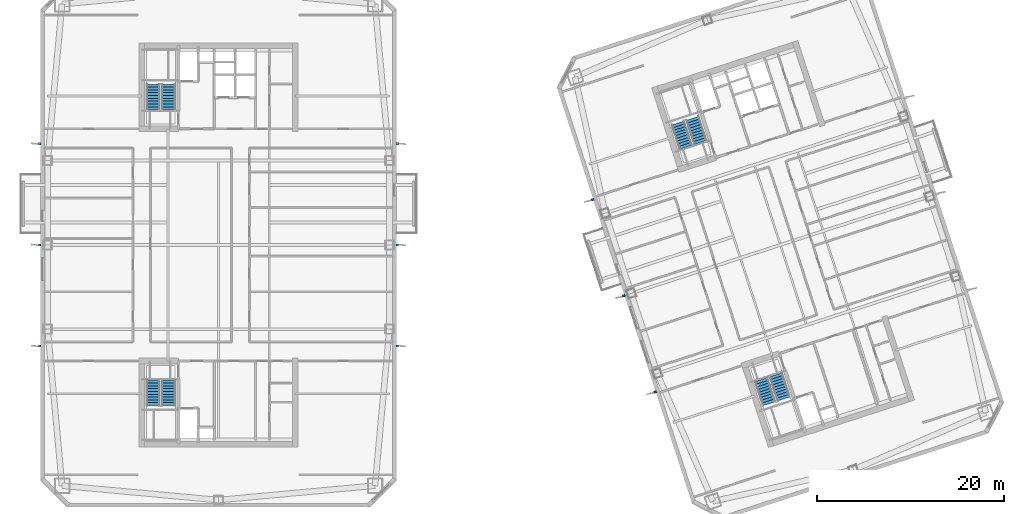
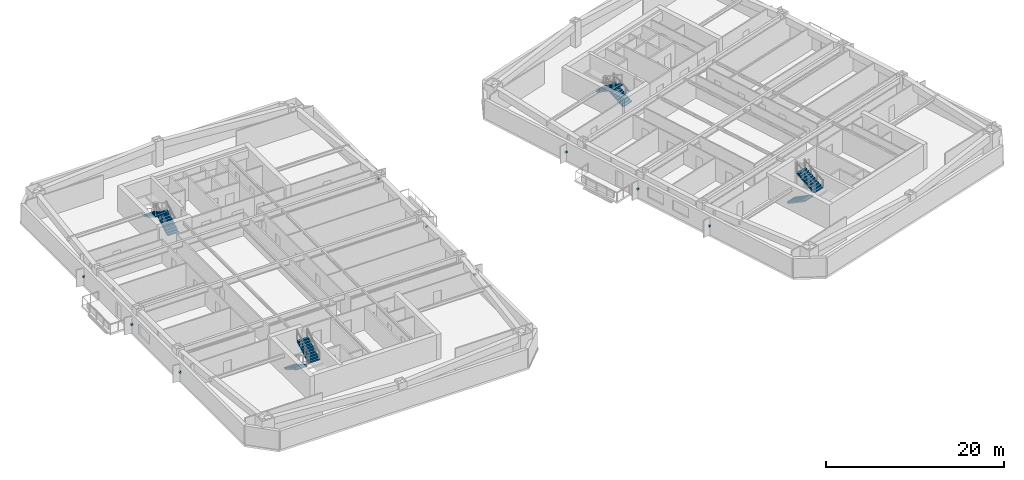
# One storey, part 17 of 23: 9 discrete accessories, 8 stair flights, 4 elements without a shape of their own.
"""IFC4 building model written with IfcOpenShell, lengths in metres."""

import ifcopenshell
import ifcopenshell.guid

model = None  # the IFC model being written
_history = None  # IfcOwnerHistory: only IFC2X3 demands one
_inside = {}  # id of a spatial element -> (the spatial element, [elements in it])
_under = {}  # id of a project, library or spatial element -> (it, [spatial elements below it])
_declared = {}  # id of a project -> (the project, [libraries it declares])
_typed = {}  # id of a type object -> (the type object, [elements of that type])
_made_of = {}  # id of a material, layer set ... -> (it, [elements and type objects made of it])


def new_model(schema):
    """Start an empty IFC model of exactly this schema.

    Asked for "IFC4X3", IfcOpenShell would pick the latest addendum, in which some entities
    have other attributes; the version numbers below select the first issue.
    IFC2X3 requires an IfcOwnerHistory on every rooted entity: one is made here for all.
    """
    global model, _history
    if schema == "IFC4X3":
        model = ifcopenshell.file(schema_version=(4, 3, 0, 0))
    else:
        model = ifcopenshell.file(schema=schema)
    _inside.clear()
    _under.clear()
    _declared.clear()
    _typed.clear()
    _made_of.clear()
    _history = None
    if model.schema == "IFC2X3":
        org = make("IfcOrganization", Name="unknown")
        user = make(
            "IfcPersonAndOrganization",
            ThePerson=make("IfcPerson", FamilyName="unknown"),
            TheOrganization=org,
        )
        app = make(
            "IfcApplication",
            ApplicationDeveloper=org,
            Version="unknown",
            ApplicationFullName="unknown",
            ApplicationIdentifier="unknown",
        )
        _history = make(
            "IfcOwnerHistory",
            OwningUser=user,
            OwningApplication=app,
            ChangeAction="ADDED",
            CreationDate=0,
        )
    return model


def make(cls, **values):
    """One entity of the class cls with the attributes given. An attribute that is None is left unset."""
    return model.create_entity(
        cls, **{name: value for name, value in values.items() if value is not None}
    )


def rooted(cls, **values):
    """An entity with a GlobalId (a new one), such as an element, a storey or a relation."""
    return make(cls, GlobalId=ifcopenshell.guid.new(), OwnerHistory=_history, **values)


def si_unit(unit_type, name, prefix=None):
    """IfcSIUnit, for example si_unit("LENGTHUNIT", "METRE", prefix="MILLI")."""
    return make("IfcSIUnit", UnitType=unit_type, Prefix=prefix, Name=name)


def assignment(units):
    """IfcUnitAssignment: the units of a project."""
    return None if units is None else make("IfcUnitAssignment", Units=units)


def point(xyz):
    """IfcCartesianPoint."""
    return None if xyz is None else make("IfcCartesianPoint", Coordinates=xyz)


def direction(xyz):
    """IfcDirection."""
    return None if xyz is None else make("IfcDirection", DirectionRatios=xyz)


def frame(location, z_axis=None, x_axis=None):
    """IfcAxis2Placement3D, a coordinate frame: its origin and axes. An axis left out is left unset."""
    return make(
        "IfcAxis2Placement3D",
        Location=point(location),
        Axis=direction(z_axis),
        RefDirection=direction(x_axis),
    )


def frame_2d(location, x_axis=None):
    """IfcAxis2Placement2D, a coordinate frame in the plane: its origin and x axis."""
    return make(
        "IfcAxis2Placement2D", Location=point(location), RefDirection=direction(x_axis)
    )


def origin():
    """The frame at (0, 0, 0) with its axes left unset."""
    return frame((0.0, 0.0, 0.0))


def origin_2d():
    """The frame at (0, 0) in the plane with its x axis left unset."""
    return frame_2d((0.0, 0.0))


def place(relative_to, where):
    """IfcLocalPlacement: puts the frame where relative to a parent placement (None: the world)."""
    return make(
        "IfcLocalPlacement", PlacementRelTo=relative_to, RelativePlacement=where
    )


def context(
    kind, dimensions, precision=None, world=None, true_north=None, identifier=None
):
    """IfcGeometricRepresentationContext, for example the 3D "Model" context."""
    return make(
        "IfcGeometricRepresentationContext",
        ContextIdentifier=identifier,
        ContextType=kind,
        CoordinateSpaceDimension=dimensions,
        Precision=precision,
        WorldCoordinateSystem=world,
        TrueNorth=true_north,
    )


def subcontext(parent, identifier, kind, view, scale=None):
    """IfcGeometricRepresentationSubContext, for example "Body" below "Model"."""
    return make(
        "IfcGeometricRepresentationSubContext",
        ContextIdentifier=identifier,
        ContextType=kind,
        ParentContext=parent,
        TargetScale=scale,
        TargetView=view,
    )


def project(units=None, contexts=None):
    """IfcProject with its units and contexts."""
    return rooted(
        "IfcProject",
        Name="project",
        RepresentationContexts=contexts,
        UnitsInContext=assignment(units),
    )


def spatial(cls, under=None, at=None, **own):
    """A site, building, storey or space (cls), placed at a placement, below another one or the project."""
    s = rooted(cls, ObjectPlacement=at, **own)
    if under is not None:
        _under.setdefault(under.id(), (under, []))[1].append(s)
    return s


def polyline(points):
    """IfcPolyline through the points."""
    return make("IfcPolyline", Points=[point(p) for p in points])


def profile(cls, at=None, kind="AREA", **sizes):
    """A parametric profile (cls). Its sizes go by their IFC names, for example OverallWidth=200.0."""
    return make(cls, ProfileType=kind, Position=at, **sizes)


def rectangle(**sizes):
    """IfcRectangleProfileDef."""
    return profile("IfcRectangleProfileDef", **sizes)


def outline(outer, holes=None, kind="AREA"):
    """IfcArbitraryClosedProfileDef: a profile drawn as a closed curve; with holes, ...WithVoids."""
    if holes is None:
        return make("IfcArbitraryClosedProfileDef", ProfileType=kind, OuterCurve=outer)
    return make(
        "IfcArbitraryProfileDefWithVoids",
        ProfileType=kind,
        OuterCurve=outer,
        InnerCurves=holes,
    )


def extrude(swept, where, along, depth):
    """IfcExtrudedAreaSolid: the profile swept, set in the frame where, extruded along a direction by depth."""
    return make(
        "IfcExtrudedAreaSolid",
        SweptArea=swept,
        Position=where,
        ExtrudedDirection=direction(along),
        Depth=depth,
    )


def shape(context_of_items, identifier, shape_type, items):
    """IfcShapeRepresentation: the items that make up one representation, for example the "Body"."""
    return make(
        "IfcShapeRepresentation",
        ContextOfItems=context_of_items,
        RepresentationIdentifier=identifier,
        RepresentationType=shape_type,
        Items=items,
    )


def material(Name=None, Category=None):
    """IfcMaterial."""
    return make("IfcMaterial", Name=Name, Category=Category)


def made_of(thing, what):
    """Note that an element or type object is made of a material, layer set ...; save() writes the relation."""
    if what is not None:
        _made_of.setdefault(what.id(), (what, []))[1].append(thing)
    return thing


def type_object(cls, material=None, **own):
    """A type object (cls), such as IfcWallType, which elements share."""
    return made_of(rooted(cls, **own), material)


def element(
    cls,
    number,
    at=None,
    inside=None,
    cuts=None,
    type_object=None,
    material=None,
    context=None,
    identifier="Body",
    shape_type=None,
    held_by="IfcProductDefinitionShape",
    body=None,
    shapes=None,
    **own,
):
    """One element of the class cls, such as IfcWall. Its Tag is "e" and its number.

    at: its placement. inside: the storey or other place that contains it. cuts: it is an
    opening in that element (IfcRelVoidsElement). A single representation is given by context,
    identifier, shape_type and body (its items); several are given by shapes. held_by: the class
    of the entity that holds the representations. save() writes the other relations.
    """
    e = rooted(cls, Tag="e%d" % number, ObjectPlacement=at, **own)
    if body is not None:
        shapes = [shape(context, identifier, shape_type, body)]
    if shapes is not None:
        e.Representation = make(held_by, Representations=shapes)
    if inside is not None:
        _inside.setdefault(inside.id(), (inside, []))[1].append(e)
    if cuts is not None:
        rooted(
            "IfcRelVoidsElement", RelatingBuildingElement=cuts, RelatedOpeningElement=e
        )
    if type_object is not None:
        _typed.setdefault(type_object.id(), (type_object, []))[1].append(e)
    return made_of(e, material)


def aggregate(whole, parts):
    """IfcRelAggregates: a whole, such as a stair, and the parts it consists of."""
    return rooted("IfcRelAggregates", RelatingObject=whole, RelatedObjects=parts)


def save(model, path):
    """Write the relations noted so far, then the file.

    IfcRelAggregates (storeys below a building ...), IfcRelContainedInSpatialStructure (elements
    in a storey), IfcRelDefinesByType, IfcRelAssociatesMaterial and IfcRelDeclares: one each for
    every whole, place, type object, material and project.
    """
    for whole, parts in _under.values():
        aggregate(whole, parts)
    for where, things in _inside.values():
        rooted(
            "IfcRelContainedInSpatialStructure",
            RelatedElements=things,
            RelatingStructure=where,
        )
    for kind, things in _typed.values():
        rooted("IfcRelDefinesByType", RelatedObjects=things, RelatingType=kind)
    for what, things in _made_of.values():
        rooted("IfcRelAssociatesMaterial", RelatedObjects=things, RelatingMaterial=what)
    for by, libraries in _declared.values():
        rooted("IfcRelDeclares", RelatingContext=by, RelatedDefinitions=libraries)
    model.write(path)


model = new_model("IFC4")

# Units and contexts
model_context = context("Model", 3, precision=1e-05, world=origin(), true_north=direction((0.0, 1.0)))
body_context = subcontext(model_context, "Body", "Model", "MODEL_VIEW")
ifc_project = project(units=[si_unit("LENGTHUNIT", "METRE"), si_unit("AREAUNIT", "SQUARE_METRE"), si_unit("VOLUMEUNIT", "CUBIC_METRE"), si_unit("PLANEANGLEUNIT", "RADIAN"), si_unit("MASSUNIT", "GRAM", prefix="KILO")], contexts=[model_context])

# Site, building, storey
site_placement = place(None, origin())
site = spatial("IfcSite", under=ifc_project, at=site_placement, CompositionType="ELEMENT")
building_placement = place(site_placement, origin())
building = spatial("IfcBuilding", under=site, at=building_placement, Name="Qiaolan Cultural Towers", CompositionType="ELEMENT")
storey_placement = place(building_placement, frame((0.0, 0.0, 100.050048828125)))
storey = spatial("IfcBuildingStorey", under=building, at=storey_placement, Name="L25", CompositionType="ELEMENT", Elevation=100.050048828125)

# Stair, stair flights
ifc_material_1 = material(Name="Concrete C45", Category="concrete")
stair_type = type_object("IfcStairType", Name="STR-CORE-1500", PredefinedType="HALF_TURN_STAIR", material=ifc_material_1)
stair_1_placement = place(storey_placement, origin())
stair_1 = element("IfcStair", 1, at=stair_1_placement, inside=storey, type_object=stair_type, Name="L25 Smokeproof Exit Stair ST-W1", PredefinedType="HALF_TURN_STAIR")
ifc_material_2 = material(Name="Concrete C45", Category="concrete")
stair_flight_type = type_object("IfcStairFlightType", Name="STR-CORE-1500-FL", PredefinedType="STRAIGHT", material=ifc_material_2)
stair_flight_1_placement = place(storey_placement, frame((23.02001953125, 19.550048828125, 0.0), z_axis=(0.0, 0.0, 1.0), x_axis=(0.0, -1.0, 0.0)))
stair_flight_1 = element("IfcStairFlight", 2, at=stair_flight_1_placement, type_object=stair_flight_type, Name="ST-W1 flight 1", NumberOfRisers=10, NumberOfTreads=9, PredefinedType="STRAIGHT", RiserHeight=0.1725, TreadLength=0.3, context=body_context, shape_type="SweptSolid", body=[
    extrude(outline(polyline([(0.0, 0.0), (0.0, 0.172607421875), (0.300048828125, 0.172607421875), (0.300048828125, 0.344970703125), (0.60009765625, 0.344970703125), (0.60009765625, 0.517578125), (0.89990234375, 0.517578125), (0.89990234375, 0.68994140625), (1.199951171875, 0.68994140625), (1.199951171875, 0.862548828125), (1.5, 0.862548828125), (1.5, 1.034912109375), (1.800048828125, 1.034912109375), (1.800048828125, 1.20751953125), (2.10009765625, 1.20751953125), (2.10009765625, 1.3798828125), (2.39990234375, 1.3798828125), (2.39990234375, 1.552490234375), (2.699951171875, 1.552490234375), (2.699951171875, 1.72509765625), (2.699951171875, 1.379638671875), (0.30078125, 0.0), (0.0, 0.0)])), frame((0.0, 0.719970703125, 0.0), z_axis=(0.0, -1.0, 0.0), x_axis=(1.0, 0.0, 0.0)), (0.0, 0.0, 1.0), 1.43994140625),
])
stair_flight_2_placement = place(storey_placement, frame((24.659912109375, 16.85009765625, 1.724853515625), z_axis=(0.0, 0.0, 1.0), x_axis=(0.0, 1.0, 0.0)))
stair_flight_2 = element("IfcStairFlight", 3, at=stair_flight_2_placement, type_object=stair_flight_type, Name="ST-W1 flight 2", NumberOfRisers=10, NumberOfTreads=9, PredefinedType="STRAIGHT", RiserHeight=0.1725, TreadLength=0.3, context=body_context, shape_type="SweptSolid", body=[
    extrude(outline(polyline([(0.0, 0.0), (0.0, 0.172607421875), (0.300048828125, 0.172607421875), (0.300048828125, 0.344970703125), (0.60009765625, 0.344970703125), (0.60009765625, 0.517578125), (0.89990234375, 0.517578125), (0.89990234375, 0.68994140625), (1.199951171875, 0.68994140625), (1.199951171875, 0.862548828125), (1.5, 0.862548828125), (1.5, 1.034912109375), (1.800048828125, 1.034912109375), (1.800048828125, 1.20751953125), (2.10009765625, 1.20751953125), (2.10009765625, 1.3798828125), (2.39990234375, 1.3798828125), (2.39990234375, 1.552490234375), (2.699951171875, 1.552490234375), (2.699951171875, 1.72509765625), (2.699951171875, 1.379638671875), (0.30078125, 0.0), (0.0, 0.0)])), frame((0.0, 0.719970703125, 0.0), z_axis=(0.0, -1.0, 0.0), x_axis=(1.0, 0.0, 0.0)), (0.0, 0.0, 1.0), 1.43994140625),
])
aggregate(stair_1, [stair_flight_1, stair_flight_2])

stair_2_placement = place(storey_placement, origin())
stair_2 = element("IfcStair", 4, at=stair_2_placement, inside=storey, type_object=stair_type, Name="L25 Smokeproof Exit Stair ST-W2", PredefinedType="HALF_TURN_STAIR")
stair_flight_3_placement = place(storey_placement, frame((24.659912109375, 48.449951171875, 0.0), z_axis=(0.0, 0.0, 1.0), x_axis=(0.0, 1.0, 0.0)))
stair_flight_3 = element("IfcStairFlight", 5, at=stair_flight_3_placement, type_object=stair_flight_type, Name="ST-W2 flight 1", NumberOfRisers=10, NumberOfTreads=9, PredefinedType="STRAIGHT", RiserHeight=0.1725, TreadLength=0.3, context=body_context, shape_type="SweptSolid", body=[
    extrude(outline(polyline([(0.0, 0.0), (0.0, 0.172607421875), (0.300048828125, 0.172607421875), (0.300048828125, 0.344970703125), (0.60009765625, 0.344970703125), (0.60009765625, 0.517578125), (0.89990234375, 0.517578125), (0.89990234375, 0.68994140625), (1.199951171875, 0.68994140625), (1.199951171875, 0.862548828125), (1.5, 0.862548828125), (1.5, 1.034912109375), (1.800048828125, 1.034912109375), (1.800048828125, 1.20751953125), (2.10009765625, 1.20751953125), (2.10009765625, 1.3798828125), (2.39990234375, 1.3798828125), (2.39990234375, 1.552490234375), (2.699951171875, 1.552490234375), (2.699951171875, 1.72509765625), (2.699951171875, 1.379638671875), (0.30078125, 0.0), (0.0, 0.0)])), frame((0.0, 0.719970703125, 0.0), z_axis=(0.0, -1.0, 0.0), x_axis=(1.0, 0.0, 0.0)), (0.0, 0.0, 1.0), 1.43994140625),
])
stair_flight_4_placement = place(storey_placement, frame((23.02001953125, 51.14990234375, 1.724853515625), z_axis=(0.0, 0.0, 1.0), x_axis=(0.0, -1.0, 0.0)))
stair_flight_4 = element("IfcStairFlight", 6, at=stair_flight_4_placement, type_object=stair_flight_type, Name="ST-W2 flight 2", NumberOfRisers=10, NumberOfTreads=9, PredefinedType="STRAIGHT", RiserHeight=0.1725, TreadLength=0.3, context=body_context, shape_type="SweptSolid", body=[
    extrude(outline(polyline([(0.0, 0.0), (0.0, 0.172607421875), (0.300048828125, 0.172607421875), (0.300048828125, 0.344970703125), (0.60009765625, 0.344970703125), (0.60009765625, 0.517578125), (0.89990234375, 0.517578125), (0.89990234375, 0.68994140625), (1.199951171875, 0.68994140625), (1.199951171875, 0.862548828125), (1.5, 0.862548828125), (1.5, 1.034912109375), (1.800048828125, 1.034912109375), (1.800048828125, 1.20751953125), (2.10009765625, 1.20751953125), (2.10009765625, 1.3798828125), (2.39990234375, 1.3798828125), (2.39990234375, 1.552490234375), (2.699951171875, 1.552490234375), (2.699951171875, 1.72509765625), (2.699951171875, 1.379638671875), (0.30078125, 0.0), (0.0, 0.0)])), frame((0.0, 0.719970703125, 0.0), z_axis=(0.0, -1.0, 0.0), x_axis=(1.0, 0.0, 0.0)), (0.0, 0.0, 1.0), 1.43994140625),
])
aggregate(stair_2, [stair_flight_3, stair_flight_4])

stair_3_placement = place(storey_placement, origin())
stair_3 = element("IfcStair", 7, at=stair_3_placement, inside=storey, type_object=stair_type, Name="L25 Smokeproof Exit Stair ST-E1", PredefinedType="HALF_TURN_STAIR")
stair_flight_5_placement = place(storey_placement, frame((87.96484375, 19.6171875, 0.0), z_axis=(0.0, 0.0, 1.0), x_axis=(0.309016994375, -0.951056516295, 0.0)))
stair_flight_5 = element("IfcStairFlight", 8, at=stair_flight_5_placement, type_object=stair_flight_type, Name="ST-E1 flight 1", NumberOfRisers=10, NumberOfTreads=9, PredefinedType="STRAIGHT", RiserHeight=0.1725, TreadLength=0.3, context=body_context, shape_type="SweptSolid", body=[
    extrude(outline(polyline([(0.0, 0.0), (0.0, 0.172607421875), (0.300048828125, 0.172607421875), (0.300048828125, 0.344970703125), (0.60009765625, 0.344970703125), (0.60009765625, 0.517578125), (0.89990234375, 0.517578125), (0.89990234375, 0.68994140625), (1.199951171875, 0.68994140625), (1.199951171875, 0.862548828125), (1.5, 0.862548828125), (1.5, 1.034912109375), (1.800048828125, 1.034912109375), (1.800048828125, 1.20751953125), (2.10009765625, 1.20751953125), (2.10009765625, 1.3798828125), (2.39990234375, 1.3798828125), (2.39990234375, 1.552490234375), (2.699951171875, 1.552490234375), (2.699951171875, 1.72509765625), (2.699951171875, 1.379638671875), (0.30078125, 0.0), (0.0, 0.0)])), frame((0.0, 0.719970703125, 0.0), z_axis=(0.0, -1.0, 0.0), x_axis=(1.0, 0.0, 0.0)), (0.0, 0.0, 1.0), 1.43994140625),
])
stair_flight_6_placement = place(storey_placement, frame((90.359130859375, 17.55615234375, 1.724853515625), z_axis=(0.0, 0.0, 1.0), x_axis=(-0.309016994375, 0.951056516295, 0.0)))
stair_flight_6 = element("IfcStairFlight", 9, at=stair_flight_6_placement, type_object=stair_flight_type, Name="ST-E1 flight 2", NumberOfRisers=10, NumberOfTreads=9, PredefinedType="STRAIGHT", RiserHeight=0.1725, TreadLength=0.3, context=body_context, shape_type="SweptSolid", body=[
    extrude(outline(polyline([(0.0, 0.0), (0.0, 0.172607421875), (0.300048828125, 0.172607421875), (0.300048828125, 0.344970703125), (0.60009765625, 0.344970703125), (0.60009765625, 0.517578125), (0.89990234375, 0.517578125), (0.89990234375, 0.68994140625), (1.199951171875, 0.68994140625), (1.199951171875, 0.862548828125), (1.5, 0.862548828125), (1.5, 1.034912109375), (1.800048828125, 1.034912109375), (1.800048828125, 1.20751953125), (2.10009765625, 1.20751953125), (2.10009765625, 1.3798828125), (2.39990234375, 1.3798828125), (2.39990234375, 1.552490234375), (2.699951171875, 1.552490234375), (2.699951171875, 1.72509765625), (2.699951171875, 1.379638671875), (0.30078125, 0.0), (0.0, 0.0)])), frame((0.0, 0.719970703125, 0.0), z_axis=(0.0, -1.0, 0.0), x_axis=(1.0, 0.0, 0.0)), (0.0, 0.0, 1.0), 1.43994140625),
])
aggregate(stair_3, [stair_flight_5, stair_flight_6])

stair_4_placement = place(storey_placement, origin())
stair_4 = element("IfcStair", 10, at=stair_4_placement, inside=storey, type_object=stair_type, Name="L25 Smokeproof Exit Stair ST-E2", PredefinedType="HALF_TURN_STAIR")
stair_flight_7_placement = place(storey_placement, frame((81.459228515625, 44.946533203125, 0.0), z_axis=(0.0, 0.0, 1.0), x_axis=(-0.309016994375, 0.951056516295, 0.0)))
stair_flight_7 = element("IfcStairFlight", 11, at=stair_flight_7_placement, type_object=stair_flight_type, Name="ST-E2 flight 1", NumberOfRisers=10, NumberOfTreads=9, PredefinedType="STRAIGHT", RiserHeight=0.1725, TreadLength=0.3, context=body_context, shape_type="SweptSolid", body=[
    extrude(outline(polyline([(0.0, 0.0), (0.0, 0.172607421875), (0.300048828125, 0.172607421875), (0.300048828125, 0.344970703125), (0.60009765625, 0.344970703125), (0.60009765625, 0.517578125), (0.89990234375, 0.517578125), (0.89990234375, 0.68994140625), (1.199951171875, 0.68994140625), (1.199951171875, 0.862548828125), (1.5, 0.862548828125), (1.5, 1.034912109375), (1.800048828125, 1.034912109375), (1.800048828125, 1.20751953125), (2.10009765625, 1.20751953125), (2.10009765625, 1.3798828125), (2.39990234375, 1.3798828125), (2.39990234375, 1.552490234375), (2.699951171875, 1.552490234375), (2.699951171875, 1.72509765625), (2.699951171875, 1.379638671875), (0.30078125, 0.0), (0.0, 0.0)])), frame((0.0, 0.719970703125, 0.0), z_axis=(0.0, -1.0, 0.0), x_axis=(1.0, 0.0, 0.0)), (0.0, 0.0, 1.0), 1.43994140625),
])
stair_flight_8_placement = place(storey_placement, frame((79.065185546875, 47.007568359375, 1.724853515625), z_axis=(0.0, 0.0, 1.0), x_axis=(0.309016994375, -0.951056516295, 0.0)))
stair_flight_8 = element("IfcStairFlight", 12, at=stair_flight_8_placement, type_object=stair_flight_type, Name="ST-E2 flight 2", NumberOfRisers=10, NumberOfTreads=9, PredefinedType="STRAIGHT", RiserHeight=0.1725, TreadLength=0.3, context=body_context, shape_type="SweptSolid", body=[
    extrude(outline(polyline([(0.0, 0.0), (0.0, 0.172607421875), (0.300048828125, 0.172607421875), (0.300048828125, 0.344970703125), (0.60009765625, 0.344970703125), (0.60009765625, 0.517578125), (0.89990234375, 0.517578125), (0.89990234375, 0.68994140625), (1.199951171875, 0.68994140625), (1.199951171875, 0.862548828125), (1.5, 0.862548828125), (1.5, 1.034912109375), (1.800048828125, 1.034912109375), (1.800048828125, 1.20751953125), (2.10009765625, 1.20751953125), (2.10009765625, 1.3798828125), (2.39990234375, 1.3798828125), (2.39990234375, 1.552490234375), (2.699951171875, 1.552490234375), (2.699951171875, 1.72509765625), (2.699951171875, 1.379638671875), (0.30078125, 0.0), (0.0, 0.0)])), frame((0.0, 0.719970703125, 0.0), z_axis=(0.0, -1.0, 0.0), x_axis=(1.0, 0.0, 0.0)), (0.0, 0.0, 1.0), 1.43994140625),
])
aggregate(stair_4, [stair_flight_7, stair_flight_8])

# Discrete accessories
ifc_material_3 = material(Name="Stainless Steel S31608 Facade Anchor Bracket", Category="steel")
discrete_accessory_type = type_object("IfcDiscreteAccessoryType", Name="ACC-BRK-SS", PredefinedType="BRACKET", material=ifc_material_3)
for number, where, z_axis, x_axis, name in (
    (13, (10.919921875, 23.199951171875, 1.15478515625), (0.0, 0.0, 1.0), (1.0, 0.0, 0.0), "L25 T1 Facade Fin Anchor Bracket W1"),
    (14, (10.919921875, 34.0, 1.15478515625), (0.0, 0.0, 1.0), (1.0, 0.0, 0.0), "L25 T1 Facade Fin Anchor Bracket W2"),
    (15, (10.919921875, 44.800048828125, 1.15478515625), (0.0, 0.0, 1.0), (1.0, 0.0, 0.0), "L25 T1 Facade Fin Anchor Bracket W3"),
    (16, (49.080078125, 23.199951171875, 1.15478515625), (0.0, 0.0, 1.0), (1.0, 0.0, 0.0), "L25 T1 Facade Fin Anchor Bracket E1"),
    (17, (49.080078125, 34.0, 1.15478515625), (0.0, 0.0, 1.0), (1.0, 0.0, 0.0), "L25 T1 Facade Fin Anchor Bracket E2"),
    (18, (49.080078125, 44.800048828125, 1.15478515625), (0.0, 0.0, 1.0), (1.0, 0.0, 0.0), "L25 T1 Facade Fin Anchor Bracket E3"),
    (19, (76.617919921875, 18.296142578125, 1.15478515625), (0.0, 0.0, 1.0), (0.951056516295, 0.309016994375, 0.0), "L25 T2 Facade Fin Anchor Bracket W1"),
    (20, (73.280517578125, 28.5673828125, 1.15478515625), (0.0, 0.0, 1.0), (0.951056516295, 0.309016994375, 0.0), "L25 T2 Facade Fin Anchor Bracket W2"),
    (21, (69.943115234375, 38.8388671875, 1.15478515625), (0.0, 0.0, 1.0), (0.951056516295, 0.309016994375, 0.0), "L25 T2 Facade Fin Anchor Bracket W3"),
):
    element("IfcDiscreteAccessory", number, at=place(storey_placement, frame(where, z_axis=z_axis, x_axis=x_axis)), inside=storey, type_object=discrete_accessory_type, Name=name, PredefinedType="BRACKET", context=body_context, shape_type="SweptSolid", body=[
        extrude(rectangle(XDim=0.280029296875, YDim=0.219970703125, at=origin_2d()), origin(), (0.0, 0.0, 1.0), 0.239990234375),
    ])

save(model, "model.ifc")
